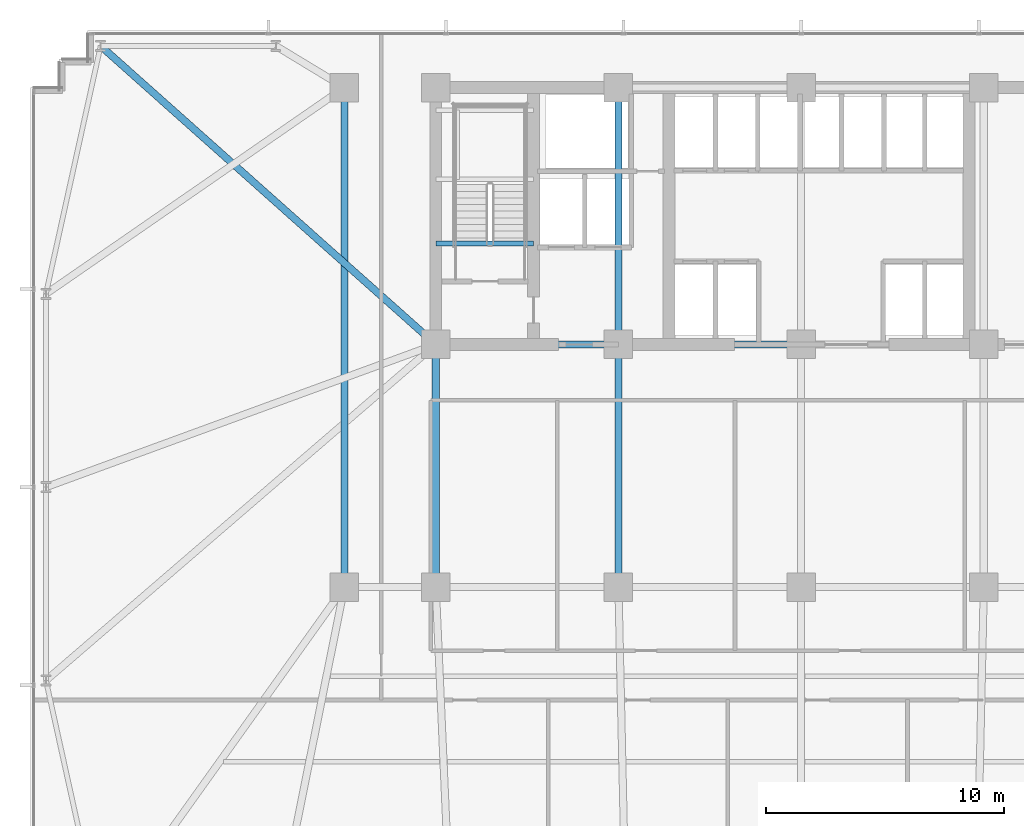
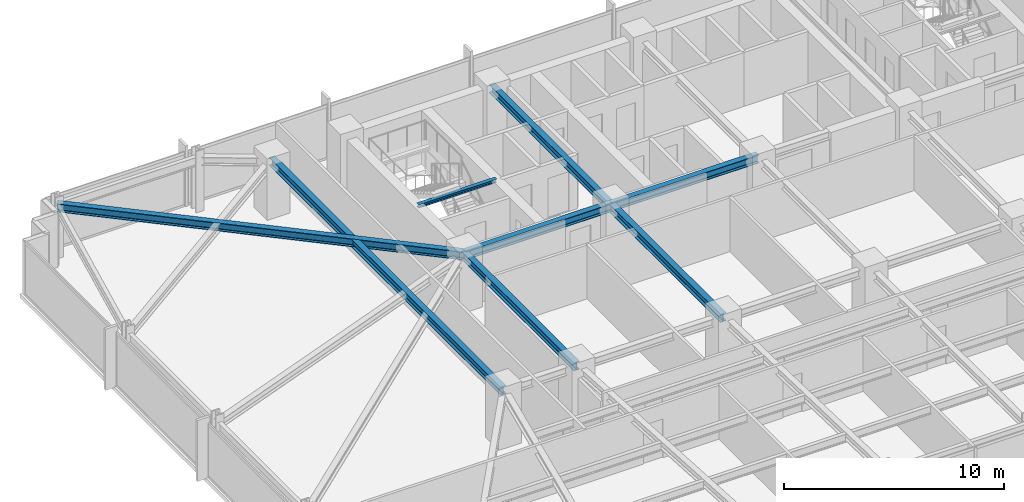
# One storey, part 10 of 32: 8 beams.
"""IFC4 building model written with IfcOpenShell, lengths in metres."""

from ifc_helpers import new_model, si_unit, direction, frame, origin, origin_2d, place, context, subcontext, project, spatial, i_section, extrude, material, material_profile, profile_set, type_object, element, save


model = new_model("IFC4")

# Units and contexts
model_context = context("Model", 3, precision=1e-05, world=origin(), true_north=direction((0.0, 1.0)))
body_context = subcontext(model_context, "Body", "Model", "MODEL_VIEW")
ifc_project = project(units=[si_unit("LENGTHUNIT", "METRE"), si_unit("AREAUNIT", "SQUARE_METRE"), si_unit("VOLUMEUNIT", "CUBIC_METRE"), si_unit("PLANEANGLEUNIT", "RADIAN"), si_unit("MASSUNIT", "GRAM", prefix="KILO")], contexts=[model_context])

# Site, building, storey
site_placement = place(None, origin())
site = spatial("IfcSite", under=ifc_project, at=site_placement, CompositionType="ELEMENT")
building_placement = place(site_placement, origin())
building = spatial("IfcBuilding", under=site, at=building_placement, Name="Yelkora Congress Tower", CompositionType="ELEMENT")
storey_placement = place(building_placement, frame((0.0, 0.0, 74.60009765625)))
storey = spatial("IfcBuildingStorey", under=building, at=storey_placement, Name="L19", CompositionType="ELEMENT", Elevation=74.60009765625)

# Beams
ifc_material = material(Name="Steel S355J2", Category="steel")
ifc_material_profile_1 = material_profile(ifc_material, i_section(OverallWidth=0.300048828125, OverallDepth=0.449951171875, WebThickness=0.013916015625, FlangeThickness=0.02587890625, FilletRadius=0.027099609375, at=origin_2d()), Name="HEB 450")
ifc_profile_set_1 = profile_set([ifc_material_profile_1], Name="Steel S355J2")
beam_type_1 = type_object("IfcBeamType", Name="BM-GIRD-HEB450", PredefinedType="BEAM", material=ifc_profile_set_1)
for number, where, z_axis, x_axis, name in (
    (1, (23.0400390625, 35.39990234375, 2.7548828125), (1.0, 0.0, 0.0), (0.0, 1.0, 0.0), "L19 Core South Girder 1"),
    (2, (30.719970703125, 35.39990234375, 2.7548828125), (1.0, 0.0, 0.0), (0.0, 1.0, 0.0), "L19 Core South Girder 2"),
):
    element("IfcBeam", number, at=place(storey_placement, frame(where, z_axis=z_axis, x_axis=x_axis)), inside=storey, type_object=beam_type_1, Name=name, PredefinedType="BEAM", context=body_context, shape_type="SweptSolid", body=[
        extrude(i_section(OverallWidth=0.300048828125, OverallDepth=0.449951171875, WebThickness=0.013916015625, FlangeThickness=0.02587890625, FilletRadius=0.027099609375, at=origin_2d()), origin(), (0.0, 0.0, 1.0), 7.679931640625),
    ])
for number, where, z_axis, x_axis, name in (
    (3, (23.0400390625, 25.199951171875, 2.7548828125), (0.0, 1.0, 0.0), (-1.0, 0.0, 0.0), "L19 Core Tie Girder MC-D1"),
    (4, (30.719970703125, 25.199951171875, 2.7548828125), (0.0, 1.0, 0.0), (-1.0, 0.0, 0.0), "L19 Core Tie Girder MC-D2"),
):
    element("IfcBeam", number, at=place(storey_placement, frame(where, z_axis=z_axis, x_axis=x_axis)), inside=storey, type_object=beam_type_1, Name=name, PredefinedType="BEAM", context=body_context, shape_type="SweptSolid", body=[
        extrude(i_section(OverallWidth=0.300048828125, OverallDepth=0.449951171875, WebThickness=0.013916015625, FlangeThickness=0.02587890625, FilletRadius=0.027099609375, at=origin_2d()), origin(), (0.0, 0.0, 1.0), 10.199951171875),
    ])
beam_1_placement = place(storey_placement, frame((30.719970703125, 35.39990234375, 2.7548828125), z_axis=(0.0, 1.0, 0.0), x_axis=(-1.0, 0.0, 0.0)))
element("IfcBeam", 5, at=beam_1_placement, inside=storey, type_object=beam_type_1, Name="L19 Core Tie Girder MC-S2", PredefinedType="BEAM", context=body_context, shape_type="SweptSolid", body=[
    extrude(i_section(OverallWidth=0.300048828125, OverallDepth=0.449951171875, WebThickness=0.013916015625, FlangeThickness=0.02587890625, FilletRadius=0.027099609375, at=origin_2d()), origin(), (0.0, 0.0, 1.0), 10.800048828125),
])
beam_2_placement = place(storey_placement, frame((19.199951171875, 25.199951171875, 2.7548828125), z_axis=(0.0, 1.0, 0.0), x_axis=(-1.0, 0.0, 0.0)))
element("IfcBeam", 6, at=beam_2_placement, inside=storey, type_object=beam_type_1, Name="L19 Neck Flank Girder MC-F1", PredefinedType="BEAM", context=body_context, shape_type="SweptSolid", body=[
    extrude(i_section(OverallWidth=0.300048828125, OverallDepth=0.449951171875, WebThickness=0.013916015625, FlangeThickness=0.02587890625, FilletRadius=0.027099609375, at=origin_2d()), origin(), (0.0, 0.0, 1.0), 21.0),
])
beam_3_placement = place(storey_placement, frame((8.949951171875, 47.949951171875, 2.7548828125), z_axis=(0.746737189621, -0.665119214605, 0.0), x_axis=(0.665119214605, 0.746737189621, 0.0)))
element("IfcBeam", 7, at=beam_3_placement, inside=storey, type_object=beam_type_1, Name="L19 Primary Frame Girder N01", PredefinedType="BEAM", context=body_context, shape_type="SweptSolid", body=[
    extrude(i_section(OverallWidth=0.300048828125, OverallDepth=0.449951171875, WebThickness=0.013916015625, FlangeThickness=0.02587890625, FilletRadius=0.027099609375, at=origin_2d()), origin(), (0.0, 0.0, 1.0), 18.868896484375),
])
ifc_material_profile_2 = material_profile(ifc_material, i_section(OverallWidth=0.199951171875, OverallDepth=0.18994140625, WebThickness=0.006591796875, FlangeThickness=0.010009765625, FilletRadius=0.01806640625, at=origin_2d()), Name="HEA 200")
ifc_profile_set_2 = profile_set([ifc_material_profile_2], Name="Steel S355J2")
beam_type_2 = type_object("IfcBeamType", Name="BM-LAND-HEA200", PredefinedType="BEAM", material=ifc_profile_set_2)
beam_4_placement = place(storey_placement, frame((23.0400390625, 39.639892578125, 2.884521484375), z_axis=(1.0, 0.0, 0.0), x_axis=(0.0, 1.0, 0.0)))
element("IfcBeam", 8, at=beam_4_placement, inside=storey, type_object=beam_type_2, Name="ST-01 L19 Floor Arrival Stringer Header Beam", PredefinedType="BEAM", context=body_context, shape_type="SweptSolid", body=[
    extrude(i_section(OverallWidth=0.199951171875, OverallDepth=0.18994140625, WebThickness=0.006591796875, FlangeThickness=0.010009765625, FilletRadius=0.01806640625, at=origin_2d()), origin(), (0.0, 0.0, 1.0), 4.10986328125),
])

save(model, "model.ifc")
